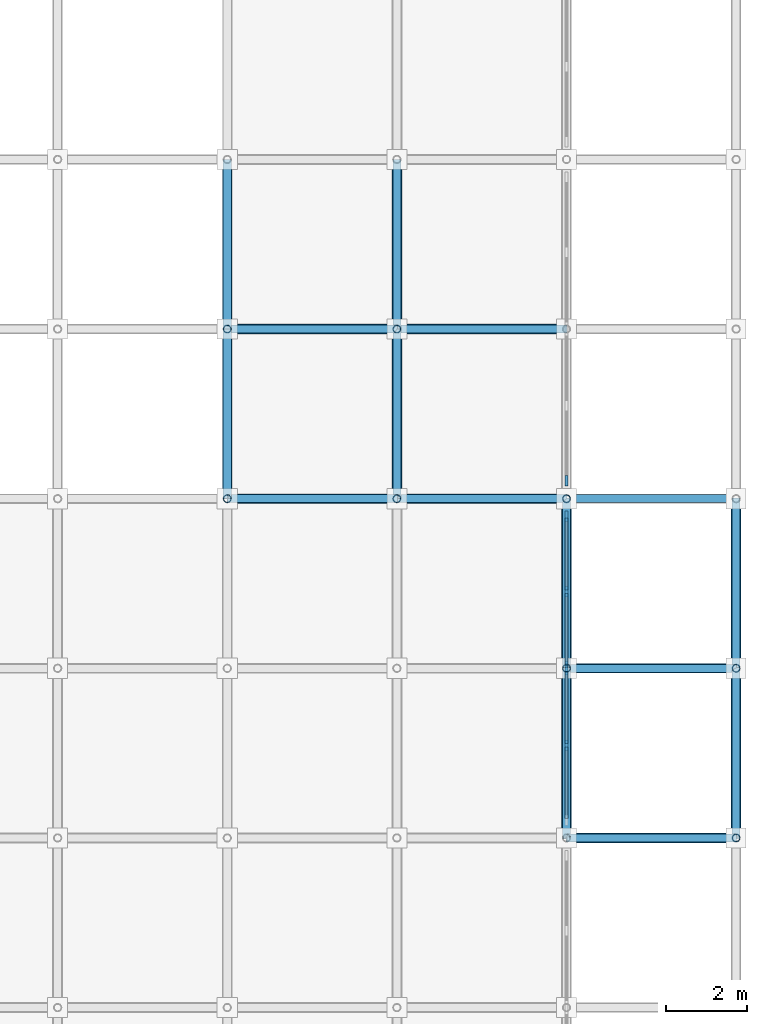
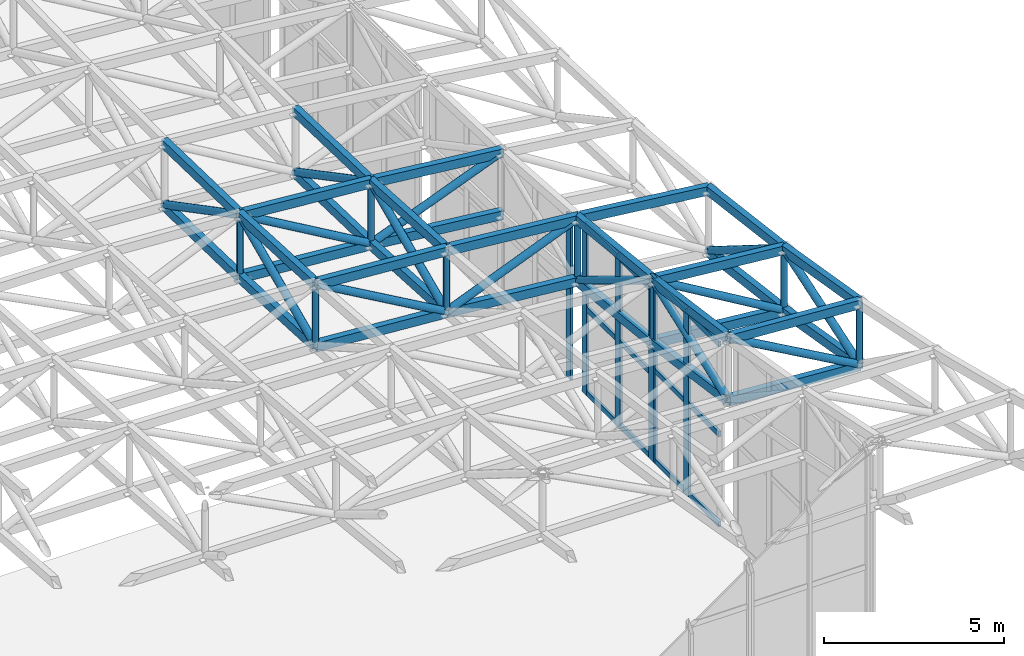
# One storey, part 39 of 123: 69 members, 3 elements without a shape of their own.
"""IFC4 building model written with IfcOpenShell, lengths in metres."""

from ifc_helpers import new_model, si_unit, direction, frame, origin, origin_2d, place, context, subcontext, project, spatial, rectangle, hollow_rectangle, hollow_circle, extrude, material, material_profile, profile_set, type_object, element, aggregate, save


model = new_model("IFC4")

# Units and contexts
model_context = context("Model", 3, precision=1e-05, world=origin(), true_north=direction((0.0, 1.0)))
body_context = subcontext(model_context, "Body", "Model", "MODEL_VIEW")
ifc_project = project(units=[si_unit("LENGTHUNIT", "METRE"), si_unit("AREAUNIT", "SQUARE_METRE"), si_unit("VOLUMEUNIT", "CUBIC_METRE"), si_unit("PLANEANGLEUNIT", "RADIAN"), si_unit("MASSUNIT", "GRAM", prefix="KILO")], contexts=[model_context])

# Site, building, storey
site_placement = place(None, origin())
site = spatial("IfcSite", under=ifc_project, at=site_placement, CompositionType="ELEMENT")
building_placement = place(site_placement, origin())
building = spatial("IfcBuilding", under=site, at=building_placement, Name="Cumbredor Promenade Congress Hotel", CompositionType="ELEMENT")
storey_placement = place(building_placement, frame((0.0, 0.0, 11.760009765625)))
storey = spatial("IfcBuildingStorey", under=building, at=storey_placement, Name="L03", CompositionType="ELEMENT", Elevation=11.760009765625)

# Members
ifc_material_1 = material(Name="Steel ASTM A500 Grade C", Category="steel")
ifc_material_profile_1 = material_profile(ifc_material_1, hollow_rectangle(XDim=0.199951171875, YDim=0.300048828125, WallThickness=0.012451171875, at=origin_2d()), Name="HSS 300x200x12.5")
ifc_profile_set_1 = profile_set([ifc_material_profile_1], Name="Steel ASTM A500 Grade C")
member_type_1 = type_object("IfcMemberType", Name="Ballroom Roof Space Frame Chord", PredefinedType="CHORD", material=ifc_profile_set_1)
for number, where, z_axis, x_axis, name in (
    (1, (184.800048828125, 16.800048828125, 6.69189453125), (0.997906149499, 0.0, -0.064678565174), (0.0, 1.0, 0.0), "Grand Ballroom Pavilion X Top Chord 12.5"),
    (2, (184.800048828125, 16.800048828125, 4.592041015625), (0.997906149499, 0.0, -0.064678565174), (0.0, 1.0, 0.0), "Grand Ballroom Pavilion X Bottom Chord 12.5"),
):
    element("IfcMember", number, at=place(storey_placement, frame(where, z_axis=z_axis, x_axis=x_axis)), inside=storey, type_object=member_type_1, Name=name, PredefinedType="CHORD", context=body_context, shape_type="SweptSolid", body=[
        extrude(hollow_rectangle(XDim=0.199951171875, YDim=0.300048828125, WallThickness=0.012451171875, at=origin_2d()), origin(), (0.0, 0.0, 1.0), 4.208740234375),
    ])
for number, where, z_axis, x_axis, name in (
    (3, (184.800048828125, 21.0, 6.106689453125), (0.995622284371, 0.0, -0.093467999143), (0.0, 1.0, 0.0), "Grand Ballroom Pavilion X Top Chord 12.6"),
    (4, (184.800048828125, 21.0, 4.006591796875), (0.995627668519, 0.0, -0.093410629366), (0.0, 1.0, 0.0), "Grand Ballroom Pavilion X Bottom Chord 12.6"),
):
    element("IfcMember", number, at=place(storey_placement, frame(where, z_axis=z_axis, x_axis=x_axis)), inside=storey, type_object=member_type_1, Name=name, PredefinedType="CHORD", context=body_context, shape_type="SweptSolid", body=[
        extrude(hollow_rectangle(XDim=0.199951171875, YDim=0.300048828125, WallThickness=0.012451171875, at=origin_2d()), origin(), (0.0, 0.0, 1.0), 4.218505859375),
    ])
for number, where, z_axis, x_axis, name in (
    (5, (176.39990234375, 25.199951171875, 6.37548828125), (0.99729064074, 0.0, -0.073562068304), (0.0, 1.0, 0.0), "Grand Ballroom Pavilion X Top Chord 10.7"),
    (6, (176.39990234375, 25.199951171875, 4.275390625), (0.99729064074, 0.0, -0.073562068304), (0.0, 1.0, 0.0), "Grand Ballroom Pavilion X Bottom Chord 10.7"),
):
    element("IfcMember", number, at=place(storey_placement, frame(where, z_axis=z_axis, x_axis=x_axis)), inside=storey, type_object=member_type_1, Name=name, PredefinedType="CHORD", context=body_context, shape_type="SweptSolid", body=[
        extrude(hollow_rectangle(XDim=0.199951171875, YDim=0.300048828125, WallThickness=0.012451171875, at=origin_2d()), origin(), (0.0, 0.0, 1.0), 4.211669921875),
    ])
for number, where, z_axis, x_axis, name in (
    (7, (180.60009765625, 25.199951171875, 6.065673828125), (0.995535696454, 0.0, -0.094385788579), (0.0, 1.0, 0.0), "Grand Ballroom Pavilion X Top Chord 11.7"),
    (8, (180.60009765625, 25.199951171875, 3.965576171875), (0.995535696454, 0.0, -0.094385788579), (0.0, 1.0, 0.0), "Grand Ballroom Pavilion X Bottom Chord 11.7"),
):
    element("IfcMember", number, at=place(storey_placement, frame(where, z_axis=z_axis, x_axis=x_axis)), inside=storey, type_object=member_type_1, Name=name, PredefinedType="CHORD", context=body_context, shape_type="SweptSolid", body=[
        extrude(hollow_rectangle(XDim=0.199951171875, YDim=0.300048828125, WallThickness=0.012451171875, at=origin_2d()), origin(), (0.0, 0.0, 1.0), 4.21875),
    ])
member_1_placement = place(storey_placement, frame((184.800048828125, 25.199951171875, 5.66748046875), z_axis=(0.993382355075, 0.0, -0.114854240786), x_axis=(0.0, 1.0, 0.0)))
element("IfcMember", 9, at=member_1_placement, inside=storey, type_object=member_type_1, Name="Grand Ballroom Pavilion X Top Chord 12.7", PredefinedType="CHORD", context=body_context, shape_type="SweptSolid", body=[
    extrude(hollow_rectangle(XDim=0.199951171875, YDim=0.300048828125, WallThickness=0.012451171875, at=origin_2d()), origin(), (0.0, 0.0, 1.0), 4.22802734375),
])
for number, where, z_axis, x_axis, name in (
    (10, (176.39990234375, 29.39990234375, 6.1708984375), (0.996577644221, 0.0, -0.082661956423), (0.0, 1.0, 0.0), "Grand Ballroom Pavilion X Top Chord 10.8"),
    (11, (176.39990234375, 29.39990234375, 4.07080078125), (0.996582414562, 0.0, -0.082604424736), (0.0, 1.0, 0.0), "Grand Ballroom Pavilion X Bottom Chord 10.8"),
):
    element("IfcMember", number, at=place(storey_placement, frame(where, z_axis=z_axis, x_axis=x_axis)), inside=storey, type_object=member_type_1, Name=name, PredefinedType="CHORD", context=body_context, shape_type="SweptSolid", body=[
        extrude(hollow_rectangle(XDim=0.199951171875, YDim=0.300048828125, WallThickness=0.012451171875, at=origin_2d()), origin(), (0.0, 0.0, 1.0), 4.214599609375),
    ])
for number, where, z_axis, x_axis, name in (
    (12, (180.60009765625, 29.39990234375, 5.822509765625), (0.99435911927, 0.0, -0.106065743409), (0.0, 1.0, 0.0), "Grand Ballroom Pavilion X Top Chord 11.8"),
    (13, (180.60009765625, 29.39990234375, 3.72265625), (0.99435911927, 0.0, -0.106065743409), (0.0, 1.0, 0.0), "Grand Ballroom Pavilion X Bottom Chord 11.8"),
):
    element("IfcMember", number, at=place(storey_placement, frame(where, z_axis=z_axis, x_axis=x_axis)), inside=storey, type_object=member_type_1, Name=name, PredefinedType="CHORD", context=body_context, shape_type="SweptSolid", body=[
        extrude(hollow_rectangle(XDim=0.199951171875, YDim=0.300048828125, WallThickness=0.012451171875, at=origin_2d()), origin(), (0.0, 0.0, 1.0), 4.223876953125),
    ])
for number, where, z_axis, x_axis, name in (
    (14, (176.39990234375, 25.199951171875, 6.37548828125), (0.0, 0.998815656724, -0.048654741634), (-1.0, 0.0, 0.0), "Grand Ballroom Pavilion Y Top Chord 10.7"),
    (15, (176.39990234375, 25.199951171875, 4.275390625), (0.0, 0.998815656724, -0.048654741634), (-1.0, 0.0, 0.0), "Grand Ballroom Pavilion Y Bottom Chord 10.7"),
):
    element("IfcMember", number, at=place(storey_placement, frame(where, z_axis=z_axis, x_axis=x_axis)), inside=storey, type_object=member_type_1, Name=name, PredefinedType="CHORD", context=body_context, shape_type="SweptSolid", body=[
        extrude(hollow_rectangle(XDim=0.199951171875, YDim=0.300048828125, WallThickness=0.012451171875, at=origin_2d()), origin(), (0.0, 0.0, 1.0), 4.204833984375),
    ])
for number, where, z_axis, x_axis, name in (
    (16, (176.39990234375, 29.39990234375, 6.1708984375), (0.0, 0.999703553702, -0.024347581318), (-1.0, 0.0, 0.0), "Grand Ballroom Pavilion Y Top Chord 10.8"),
    (17, (176.39990234375, 29.39990234375, 4.07080078125), (0.0, 0.999704966406, -0.024289506856), (-1.0, 0.0, 0.0), "Grand Ballroom Pavilion Y Bottom Chord 10.8"),
):
    element("IfcMember", number, at=place(storey_placement, frame(where, z_axis=z_axis, x_axis=x_axis)), inside=storey, type_object=member_type_1, Name=name, PredefinedType="CHORD", context=body_context, shape_type="SweptSolid", body=[
        extrude(hollow_rectangle(XDim=0.199951171875, YDim=0.300048828125, WallThickness=0.012451171875, at=origin_2d()), origin(), (0.0, 0.0, 1.0), 4.201416015625),
    ])
for number, where, z_axis, x_axis, name in (
    (18, (180.60009765625, 25.199951171875, 6.065673828125), (0.0, 0.998328177583, -0.057800085152), (-1.0, 0.0, 0.0), "Grand Ballroom Pavilion Y Top Chord 11.7"),
    (19, (180.60009765625, 25.199951171875, 3.965576171875), (0.0, 0.998331524578, -0.057742246524), (-1.0, 0.0, 0.0), "Grand Ballroom Pavilion Y Bottom Chord 11.7"),
):
    element("IfcMember", number, at=place(storey_placement, frame(where, z_axis=z_axis, x_axis=x_axis)), inside=storey, type_object=member_type_1, Name=name, PredefinedType="CHORD", context=body_context, shape_type="SweptSolid", body=[
        extrude(hollow_rectangle(XDim=0.199951171875, YDim=0.300048828125, WallThickness=0.012451171875, at=origin_2d()), origin(), (0.0, 0.0, 1.0), 4.20703125),
    ])
for number, where, z_axis, x_axis, name in (
    (20, (180.60009765625, 29.39990234375, 5.822509765625), (0.0, 0.99958298451, -0.028876583545), (-1.0, 0.0, 0.0), "Grand Ballroom Pavilion Y Top Chord 11.8"),
    (21, (180.60009765625, 29.39990234375, 3.72265625), (0.0, 0.999581305746, -0.028934636728), (-1.0, 0.0, 0.0), "Grand Ballroom Pavilion Y Bottom Chord 11.8"),
):
    element("IfcMember", number, at=place(storey_placement, frame(where, z_axis=z_axis, x_axis=x_axis)), inside=storey, type_object=member_type_1, Name=name, PredefinedType="CHORD", context=body_context, shape_type="SweptSolid", body=[
        extrude(hollow_rectangle(XDim=0.199951171875, YDim=0.300048828125, WallThickness=0.012451171875, at=origin_2d()), origin(), (0.0, 0.0, 1.0), 4.201904296875),
    ])
for number, where, z_axis, x_axis, name in (
    (22, (184.800048828125, 16.800048828125, 6.69189453125), (0.0, 0.99043181531, -0.138002968162), (-1.0, 0.0, 0.0), "Grand Ballroom Pavilion Y Top Chord 12.5"),
    (23, (184.800048828125, 16.800048828125, 4.592041015625), (0.0, 0.990423944511, -0.138059444221), (-1.0, 0.0, 0.0), "Grand Ballroom Pavilion Y Bottom Chord 12.5"),
):
    element("IfcMember", number, at=place(storey_placement, frame(where, z_axis=z_axis, x_axis=x_axis)), inside=storey, type_object=member_type_1, Name=name, PredefinedType="CHORD", context=body_context, shape_type="SweptSolid", body=[
        extrude(hollow_rectangle(XDim=0.199951171875, YDim=0.300048828125, WallThickness=0.012451171875, at=origin_2d()), origin(), (0.0, 0.0, 1.0), 4.240478515625),
    ])
for number, where, z_axis, x_axis, name in (
    (24, (184.800048828125, 21.0, 6.106689453125), (0.0, 0.994576500093, -0.10400762214), (-1.0, 0.0, 0.0), "Grand Ballroom Pavilion Y Top Chord 12.6"),
    (25, (184.800048828125, 21.0, 4.006591796875), (0.0, 0.994576500093, -0.10400762214), (-1.0, 0.0, 0.0), "Grand Ballroom Pavilion Y Bottom Chord 12.6"),
):
    element("IfcMember", number, at=place(storey_placement, frame(where, z_axis=z_axis, x_axis=x_axis)), inside=storey, type_object=member_type_1, Name=name, PredefinedType="CHORD", context=body_context, shape_type="SweptSolid", body=[
        extrude(hollow_rectangle(XDim=0.199951171875, YDim=0.300048828125, WallThickness=0.012451171875, at=origin_2d()), origin(), (0.0, 0.0, 1.0), 4.222900390625),
    ])
for number, where, z_axis, x_axis, name in (
    (26, (189.0, 16.800048828125, 6.419677734375), (0.0, 0.986115204562, -0.166062648818), (-1.0, 0.0, 0.0), "Grand Ballroom Pavilion Y Top Chord 13.5"),
    (27, (189.0, 16.800048828125, 4.31982421875), (0.0, 0.986115204562, -0.166062648818), (-1.0, 0.0, 0.0), "Grand Ballroom Pavilion Y Bottom Chord 13.5"),
):
    element("IfcMember", number, at=place(storey_placement, frame(where, z_axis=z_axis, x_axis=x_axis)), inside=storey, type_object=member_type_1, Name=name, PredefinedType="CHORD", context=body_context, shape_type="SweptSolid", body=[
        extrude(hollow_rectangle(XDim=0.199951171875, YDim=0.300048828125, WallThickness=0.012451171875, at=origin_2d()), origin(), (0.0, 0.0, 1.0), 4.259033203125),
    ])
for number, where, z_axis, x_axis, name in (
    (28, (189.0, 21.0, 5.71240234375), (0.0, 0.992116453102, -0.125319365959), (-1.0, 0.0, 0.0), "Grand Ballroom Pavilion Y Top Chord 13.6"),
    (29, (189.0, 21.0, 3.612548828125), (0.0, 0.992116453102, -0.125319365959), (-1.0, 0.0, 0.0), "Grand Ballroom Pavilion Y Bottom Chord 13.6"),
):
    element("IfcMember", number, at=place(storey_placement, frame(where, z_axis=z_axis, x_axis=x_axis)), inside=storey, type_object=member_type_1, Name=name, PredefinedType="CHORD", context=body_context, shape_type="SweptSolid", body=[
        extrude(hollow_rectangle(XDim=0.199951171875, YDim=0.300048828125, WallThickness=0.012451171875, at=origin_2d()), origin(), (0.0, 0.0, 1.0), 4.2333984375),
    ])

# Curtain wall, members
ifc_material_2 = material(Name="Thermally broken anodized aluminium and low-E glass", Category="aluminium")
curtain_wall_type = type_object("IfcCurtainWallType", Name="Stepped Pavilion Clerestory Curtain Wall CW-06", PredefinedType="NOTDEFINED", material=ifc_material_2)
curtain_wall_1_placement = place(storey_placement, origin())
curtain_wall_1 = element("IfcCurtainWall", 30, at=curtain_wall_1_placement, inside=storey, type_object=curtain_wall_type, Name="Grand Ballroom Pavilion E Glazed Clerestory 3", PredefinedType="NOTDEFINED")
ifc_material_3 = material(Name="Thermally broken anodized aluminium", Category="aluminium")
ifc_material_profile_2 = material_profile(ifc_material_3, rectangle(XDim=0.0849609375, YDim=0.260009765625, at=origin_2d()), Name="ALU MULLION CLERESTORY 85x260")
ifc_profile_set_2 = profile_set([ifc_material_profile_2], Name="Thermally broken anodized aluminium")
member_type_2 = type_object("IfcMemberType", Name="Curtain Wall Mullion ML-04", PredefinedType="MULLION", material=ifc_profile_set_2)
member_2_placement = place(storey_placement, frame((184.800048828125, 19.10009765625, -0.01806640625), z_axis=(0.0, 0.0, 1.0), x_axis=(1.0, 0.0, 0.0)))
member_2 = element("IfcMember", 31, at=member_2_placement, type_object=member_type_2, Name="Grand Ballroom Pavilion E Glazed Clerestory 3 Mullion 2", PredefinedType="MULLION", context=body_context, shape_type="SweptSolid", body=[
    extrude(rectangle(XDim=0.0849609375, YDim=0.260009765625, at=origin_2d()), origin(), (0.0, 0.0, 1.0), 6.300537109375),
])
member_3_placement = place(storey_placement, frame((184.800048828125, 20.9599609375, -0.01806640625), z_axis=(0.0, 0.0, 1.0), x_axis=(1.0, 0.0, 0.0)))
member_3 = element("IfcMember", 32, at=member_3_placement, type_object=member_type_2, Name="Grand Ballroom Pavilion E Glazed Clerestory 3 Mullion 3", PredefinedType="MULLION", context=body_context, shape_type="SweptSolid", body=[
    extrude(rectangle(XDim=0.0849609375, YDim=0.260009765625, at=origin_2d()), origin(), (0.0, 0.0, 1.0), 6.300537109375),
])

curtain_wall_2_placement = place(storey_placement, origin())
curtain_wall_2 = element("IfcCurtainWall", 33, at=curtain_wall_2_placement, inside=storey, type_object=curtain_wall_type, Name="Grand Ballroom Pavilion E Glazed Clerestory 4", PredefinedType="NOTDEFINED")
member_4_placement = place(storey_placement, frame((184.800048828125, 21.0400390625, -0.01806640625), z_axis=(0.0, 0.0, 1.0), x_axis=(1.0, 0.0, 0.0)))
member_4 = element("IfcMember", 34, at=member_4_placement, type_object=member_type_2, Name="Grand Ballroom Pavilion E Glazed Clerestory 4 Mullion 1", PredefinedType="MULLION", context=body_context, shape_type="SweptSolid", body=[
    extrude(rectangle(XDim=0.0849609375, YDim=0.260009765625, at=origin_2d()), origin(), (0.0, 0.0, 1.0), 5.861572265625),
])
member_5_placement = place(storey_placement, frame((184.800048828125, 22.89990234375, -0.01806640625), z_axis=(0.0, 0.0, 1.0), x_axis=(1.0, 0.0, 0.0)))
member_5 = element("IfcMember", 35, at=member_5_placement, type_object=member_type_2, Name="Grand Ballroom Pavilion E Glazed Clerestory 4 Mullion 2", PredefinedType="MULLION", context=body_context, shape_type="SweptSolid", body=[
    extrude(rectangle(XDim=0.0849609375, YDim=0.260009765625, at=origin_2d()), origin(), (0.0, 0.0, 1.0), 5.861572265625),
])
member_6_placement = place(storey_placement, frame((184.800048828125, 24.760009765625, -0.01806640625), z_axis=(0.0, 0.0, 1.0), x_axis=(1.0, 0.0, 0.0)))
member_6 = element("IfcMember", 36, at=member_6_placement, type_object=member_type_2, Name="Grand Ballroom Pavilion E Glazed Clerestory 4 Mullion 3", PredefinedType="MULLION", context=body_context, shape_type="SweptSolid", body=[
    extrude(rectangle(XDim=0.0849609375, YDim=0.260009765625, at=origin_2d()), origin(), (0.0, 0.0, 1.0), 5.861572265625),
])

# Curtain wall, member
curtain_wall_3_placement = place(storey_placement, origin())
curtain_wall_3 = element("IfcCurtainWall", 37, at=curtain_wall_3_placement, inside=storey, type_object=curtain_wall_type, Name="Grand Ballroom Pavilion E Glazed Clerestory 5", PredefinedType="NOTDEFINED")
member_7_placement = place(storey_placement, frame((184.800048828125, 25.639892578125, -0.01806640625), z_axis=(0.0, 0.0, 1.0), x_axis=(1.0, 0.0, 0.0)))
member_7 = element("IfcMember", 38, at=member_7_placement, type_object=member_type_2, Name="Grand Ballroom Pavilion E Glazed Clerestory 5 Mullion 1", PredefinedType="MULLION", context=body_context, shape_type="SweptSolid", body=[
    extrude(rectangle(XDim=0.0849609375, YDim=0.260009765625, at=origin_2d()), origin(), (0.0, 0.0, 1.0), 5.568603515625),
])
aggregate(curtain_wall_3, [member_7])

# Member
ifc_material_profile_3 = material_profile(ifc_material_3, rectangle(XDim=0.080078125, YDim=0.179931640625, at=origin_2d()), Name="ALU TRANSOM 80x180")
ifc_profile_set_3 = profile_set([ifc_material_profile_3], Name="Thermally broken anodized aluminium")
member_type_3 = type_object("IfcMemberType", Name="Curtain Wall Transom TR-03", PredefinedType="USERDEFINED", material=ifc_profile_set_3)
member_8_placement = place(storey_placement, frame((184.800048828125, 17.282470703125, 0.080078125), z_axis=(0.0, 1.0, 0.0), x_axis=(-1.0, 0.0, 0.0)))
member_8 = element("IfcMember", 39, at=member_8_placement, type_object=member_type_3, Name="Grand Ballroom Pavilion E Glazed Clerestory 3 Transom 1.1", ObjectType="TRANSOM", PredefinedType="USERDEFINED", context=body_context, shape_type="SweptSolid", body=[
    extrude(rectangle(XDim=0.080078125, YDim=0.179931640625, at=origin_2d()), origin(), (0.0, 0.0, 1.0), 1.775146484375),
])

member_9_placement = place(storey_placement, frame((184.800048828125, 17.282470703125, 3.1298828125), z_axis=(0.0, 1.0, 0.0), x_axis=(-1.0, 0.0, 0.0)))
member_9 = element("IfcMember", 40, at=member_9_placement, type_object=member_type_3, Name="Grand Ballroom Pavilion E Glazed Clerestory 3 Transom 1.2", ObjectType="TRANSOM", PredefinedType="USERDEFINED", context=body_context, shape_type="SweptSolid", body=[
    extrude(rectangle(XDim=0.080078125, YDim=0.179931640625, at=origin_2d()), origin(), (0.0, 0.0, 1.0), 1.775146484375),
])

member_10_placement = place(storey_placement, frame((184.800048828125, 17.282470703125, 6.179931640625), z_axis=(0.0, 1.0, 0.0), x_axis=(-1.0, 0.0, 0.0)))
member_10 = element("IfcMember", 41, at=member_10_placement, type_object=member_type_3, Name="Grand Ballroom Pavilion E Glazed Clerestory 3 Transom 1.3", ObjectType="TRANSOM", PredefinedType="USERDEFINED", context=body_context, shape_type="SweptSolid", body=[
    extrude(rectangle(XDim=0.080078125, YDim=0.179931640625, at=origin_2d()), origin(), (0.0, 0.0, 1.0), 1.775146484375),
])

member_11_placement = place(storey_placement, frame((184.800048828125, 19.142578125, 0.080078125), z_axis=(0.0, 1.0, 0.0), x_axis=(-1.0, 0.0, 0.0)))
member_11 = element("IfcMember", 42, at=member_11_placement, type_object=member_type_3, Name="Grand Ballroom Pavilion E Glazed Clerestory 3 Transom 2.1", ObjectType="TRANSOM", PredefinedType="USERDEFINED", context=body_context, shape_type="SweptSolid", body=[
    extrude(rectangle(XDim=0.080078125, YDim=0.179931640625, at=origin_2d()), origin(), (0.0, 0.0, 1.0), 1.77490234375),
])

member_12_placement = place(storey_placement, frame((184.800048828125, 19.142578125, 3.1298828125), z_axis=(0.0, 1.0, 0.0), x_axis=(-1.0, 0.0, 0.0)))
member_12 = element("IfcMember", 43, at=member_12_placement, type_object=member_type_3, Name="Grand Ballroom Pavilion E Glazed Clerestory 3 Transom 2.2", ObjectType="TRANSOM", PredefinedType="USERDEFINED", context=body_context, shape_type="SweptSolid", body=[
    extrude(rectangle(XDim=0.080078125, YDim=0.179931640625, at=origin_2d()), origin(), (0.0, 0.0, 1.0), 1.77490234375),
])

member_13_placement = place(storey_placement, frame((184.800048828125, 19.142578125, 6.179931640625), z_axis=(0.0, 1.0, 0.0), x_axis=(-1.0, 0.0, 0.0)))
member_13 = element("IfcMember", 44, at=member_13_placement, type_object=member_type_3, Name="Grand Ballroom Pavilion E Glazed Clerestory 3 Transom 2.3", ObjectType="TRANSOM", PredefinedType="USERDEFINED", context=body_context, shape_type="SweptSolid", body=[
    extrude(rectangle(XDim=0.080078125, YDim=0.179931640625, at=origin_2d()), origin(), (0.0, 0.0, 1.0), 1.77490234375),
])

aggregate(curtain_wall_1, [member_2, member_3, member_8, member_9, member_10, member_11, member_12, member_13])

member_14_placement = place(storey_placement, frame((184.800048828125, 21.08251953125, 0.080078125), z_axis=(0.0, 1.0, 0.0), x_axis=(-1.0, 0.0, 0.0)))
member_14 = element("IfcMember", 45, at=member_14_placement, type_object=member_type_3, Name="Grand Ballroom Pavilion E Glazed Clerestory 4 Transom 1.1", ObjectType="TRANSOM", PredefinedType="USERDEFINED", context=body_context, shape_type="SweptSolid", body=[
    extrude(rectangle(XDim=0.080078125, YDim=0.179931640625, at=origin_2d()), origin(), (0.0, 0.0, 1.0), 1.77490234375),
])

member_15_placement = place(storey_placement, frame((184.800048828125, 21.08251953125, 2.919921875), z_axis=(0.0, 1.0, 0.0), x_axis=(-1.0, 0.0, 0.0)))
member_15 = element("IfcMember", 46, at=member_15_placement, type_object=member_type_3, Name="Grand Ballroom Pavilion E Glazed Clerestory 4 Transom 1.2", ObjectType="TRANSOM", PredefinedType="USERDEFINED", context=body_context, shape_type="SweptSolid", body=[
    extrude(rectangle(XDim=0.080078125, YDim=0.179931640625, at=origin_2d()), origin(), (0.0, 0.0, 1.0), 1.77490234375),
])

member_16_placement = place(storey_placement, frame((184.800048828125, 21.08251953125, 5.75), z_axis=(0.0, 1.0, 0.0), x_axis=(-1.0, 0.0, 0.0)))
member_16 = element("IfcMember", 47, at=member_16_placement, type_object=member_type_3, Name="Grand Ballroom Pavilion E Glazed Clerestory 4 Transom 1.3", ObjectType="TRANSOM", PredefinedType="USERDEFINED", context=body_context, shape_type="SweptSolid", body=[
    extrude(rectangle(XDim=0.080078125, YDim=0.179931640625, at=origin_2d()), origin(), (0.0, 0.0, 1.0), 1.77490234375),
])

member_17_placement = place(storey_placement, frame((184.800048828125, 22.9423828125, 0.080078125), z_axis=(0.0, 1.0, 0.0), x_axis=(-1.0, 0.0, 0.0)))
member_17 = element("IfcMember", 48, at=member_17_placement, type_object=member_type_3, Name="Grand Ballroom Pavilion E Glazed Clerestory 4 Transom 2.1", ObjectType="TRANSOM", PredefinedType="USERDEFINED", context=body_context, shape_type="SweptSolid", body=[
    extrude(rectangle(XDim=0.080078125, YDim=0.179931640625, at=origin_2d()), origin(), (0.0, 0.0, 1.0), 1.775146484375),
])

member_18_placement = place(storey_placement, frame((184.800048828125, 22.9423828125, 2.919921875), z_axis=(0.0, 1.0, 0.0), x_axis=(-1.0, 0.0, 0.0)))
member_18 = element("IfcMember", 49, at=member_18_placement, type_object=member_type_3, Name="Grand Ballroom Pavilion E Glazed Clerestory 4 Transom 2.2", ObjectType="TRANSOM", PredefinedType="USERDEFINED", context=body_context, shape_type="SweptSolid", body=[
    extrude(rectangle(XDim=0.080078125, YDim=0.179931640625, at=origin_2d()), origin(), (0.0, 0.0, 1.0), 1.775146484375),
])

member_19_placement = place(storey_placement, frame((184.800048828125, 22.9423828125, 5.75), z_axis=(0.0, 1.0, 0.0), x_axis=(-1.0, 0.0, 0.0)))
member_19 = element("IfcMember", 50, at=member_19_placement, type_object=member_type_3, Name="Grand Ballroom Pavilion E Glazed Clerestory 4 Transom 2.3", ObjectType="TRANSOM", PredefinedType="USERDEFINED", context=body_context, shape_type="SweptSolid", body=[
    extrude(rectangle(XDim=0.080078125, YDim=0.179931640625, at=origin_2d()), origin(), (0.0, 0.0, 1.0), 1.775146484375),
])

aggregate(curtain_wall_2, [member_4, member_5, member_6, member_14, member_15, member_16, member_17, member_18, member_19])

# Members
ifc_material_profile_4 = material_profile(ifc_material_1, hollow_circle(Radius=0.122314453125, WallThickness=0.012451171875, at=origin_2d()), Name="CHS 244.5x12.5")
ifc_profile_set_4 = profile_set([ifc_material_profile_4], Name="Steel ASTM A500 Grade C")
member_type_4 = type_object("IfcMemberType", Name="Space Frame Web Diagonal D2", PredefinedType="BRACE", material=ifc_profile_set_4)
member_20_placement = place(storey_placement, frame((184.800048828125, 16.800048828125, 6.69189453125), z_axis=(0.870723990269, 0.0, -0.491772033335), x_axis=(0.0, 1.0, 0.0)))
element("IfcMember", 51, at=member_20_placement, inside=storey, type_object=member_type_4, Name="Grand Ballroom Pavilion X Web Diagonal 12.5", PredefinedType="BRACE", context=body_context, shape_type="SweptSolid", body=[
    extrude(hollow_circle(Radius=0.122314453125, WallThickness=0.012451171875, at=origin_2d()), origin(), (0.0, 0.0, 1.0), 4.823486328125),
])
member_21_placement = place(storey_placement, frame((184.800048828125, 21.0, 6.106689453125), z_axis=(0.859817030467, 0.0, -0.510602266073), x_axis=(0.0, 1.0, 0.0)))
element("IfcMember", 52, at=member_21_placement, inside=storey, type_object=member_type_4, Name="Grand Ballroom Pavilion X Web Diagonal 12.6", PredefinedType="BRACE", context=body_context, shape_type="SweptSolid", body=[
    extrude(hollow_circle(Radius=0.122314453125, WallThickness=0.012451171875, at=origin_2d()), origin(), (0.0, 0.0, 1.0), 4.884765625),
])
member_22_placement = place(storey_placement, frame((176.39990234375, 25.199951171875, 6.37548828125), z_axis=(0.867369979475, 0.0, -0.49766386116), x_axis=(0.0, 1.0, 0.0)))
element("IfcMember", 53, at=member_22_placement, inside=storey, type_object=member_type_4, Name="Grand Ballroom Pavilion X Web Diagonal 10.7", PredefinedType="BRACE", context=body_context, shape_type="SweptSolid", body=[
    extrude(hollow_circle(Radius=0.122314453125, WallThickness=0.012451171875, at=origin_2d()), origin(), (0.0, 0.0, 1.0), 4.842529296875),
])
member_23_placement = place(storey_placement, frame((180.60009765625, 25.199951171875, 3.965576171875), z_axis=(0.926799079223, 0.0, 0.3755575412), x_axis=(0.0, 1.0, 0.0)))
element("IfcMember", 54, at=member_23_placement, inside=storey, type_object=member_type_4, Name="Grand Ballroom Pavilion X Web Diagonal 11.7", PredefinedType="BRACE", context=body_context, shape_type="SweptSolid", body=[
    extrude(hollow_circle(Radius=0.122314453125, WallThickness=0.012451171875, at=origin_2d()), origin(), (0.0, 0.0, 1.0), 4.53173828125),
])
member_24_placement = place(storey_placement, frame((176.39990234375, 29.39990234375, 6.1708984375), z_axis=(0.863946419146, 0.0, -0.503583741641), x_axis=(0.0, 1.0, 0.0)))
element("IfcMember", 55, at=member_24_placement, inside=storey, type_object=member_type_4, Name="Grand Ballroom Pavilion X Web Diagonal 10.8", PredefinedType="BRACE", context=body_context, shape_type="SweptSolid", body=[
    extrude(hollow_circle(Radius=0.122314453125, WallThickness=0.012451171875, at=origin_2d()), origin(), (0.0, 0.0, 1.0), 4.861572265625),
])
member_25_placement = place(storey_placement, frame((180.60009765625, 29.39990234375, 3.72265625), z_axis=(0.930610057506, 0.0, 0.366012186775), x_axis=(0.0, 1.0, 0.0)))
element("IfcMember", 56, at=member_25_placement, inside=storey, type_object=member_type_4, Name="Grand Ballroom Pavilion X Web Diagonal 11.8", PredefinedType="BRACE", context=body_context, shape_type="SweptSolid", body=[
    extrude(hollow_circle(Radius=0.122314453125, WallThickness=0.012451171875, at=origin_2d()), origin(), (0.0, 0.0, 1.0), 4.51318359375),
])
member_26_placement = place(storey_placement, frame((176.39990234375, 25.199951171875, 4.275390625), z_axis=(0.0, 0.911471867719, 0.411362412426), x_axis=(-1.0, 0.0, 0.0)))
element("IfcMember", 57, at=member_26_placement, inside=storey, type_object=member_type_4, Name="Grand Ballroom Pavilion Y Web Diagonal 10.7", PredefinedType="BRACE", context=body_context, shape_type="SweptSolid", body=[
    extrude(hollow_circle(Radius=0.122314453125, WallThickness=0.012451171875, at=origin_2d()), origin(), (0.0, 0.0, 1.0), 4.60791015625),
])
member_27_placement = place(storey_placement, frame((176.39990234375, 29.39990234375, 6.1708984375), z_axis=(0.0, 0.885654131787, -0.464345516666), x_axis=(-1.0, 0.0, 0.0)))
element("IfcMember", 58, at=member_27_placement, inside=storey, type_object=member_type_4, Name="Grand Ballroom Pavilion Y Web Diagonal 10.8", PredefinedType="BRACE", context=body_context, shape_type="SweptSolid", body=[
    extrude(hollow_circle(Radius=0.122314453125, WallThickness=0.012451171875, at=origin_2d()), origin(), (0.0, 0.0, 1.0), 4.742431640625),
])
member_28_placement = place(storey_placement, frame((180.60009765625, 25.199951171875, 3.965576171875), z_axis=(0.0, 0.914594708736, 0.404371758103), x_axis=(-1.0, 0.0, 0.0)))
element("IfcMember", 59, at=member_28_placement, inside=storey, type_object=member_type_4, Name="Grand Ballroom Pavilion Y Web Diagonal 11.7", PredefinedType="BRACE", context=body_context, shape_type="SweptSolid", body=[
    extrude(hollow_circle(Radius=0.122314453125, WallThickness=0.012451171875, at=origin_2d()), origin(), (0.0, 0.0, 1.0), 4.592041015625),
])
member_29_placement = place(storey_placement, frame((180.60009765625, 29.39990234375, 5.822509765625), z_axis=(0.0, 0.883979067577, -0.467526478486), x_axis=(-1.0, 0.0, 0.0)))
element("IfcMember", 60, at=member_29_placement, inside=storey, type_object=member_type_4, Name="Grand Ballroom Pavilion Y Web Diagonal 11.8", PredefinedType="BRACE", context=body_context, shape_type="SweptSolid", body=[
    extrude(hollow_circle(Radius=0.122314453125, WallThickness=0.012451171875, at=origin_2d()), origin(), (0.0, 0.0, 1.0), 4.75146484375),
])
member_30_placement = place(storey_placement, frame((184.800048828125, 16.800048828125, 4.592041015625), z_axis=(0.0, 0.940696960208, 0.339248034711), x_axis=(-1.0, 0.0, 0.0)))
element("IfcMember", 61, at=member_30_placement, inside=storey, type_object=member_type_4, Name="Grand Ballroom Pavilion Y Web Diagonal 12.5", PredefinedType="BRACE", context=body_context, shape_type="SweptSolid", body=[
    extrude(hollow_circle(Radius=0.122314453125, WallThickness=0.012451171875, at=origin_2d()), origin(), (0.0, 0.0, 1.0), 4.46484375),
])
member_31_placement = place(storey_placement, frame((184.800048828125, 21.0, 6.106689453125), z_axis=(0.0, 0.855749910689, -0.51738968907), x_axis=(-1.0, 0.0, 0.0)))
element("IfcMember", 62, at=member_31_placement, inside=storey, type_object=member_type_4, Name="Grand Ballroom Pavilion Y Web Diagonal 12.6", PredefinedType="BRACE", context=body_context, shape_type="SweptSolid", body=[
    extrude(hollow_circle(Radius=0.122314453125, WallThickness=0.012451171875, at=origin_2d()), origin(), (0.0, 0.0, 1.0), 4.907958984375),
])
member_32_placement = place(storey_placement, frame((189.0, 16.800048828125, 4.31982421875), z_axis=(0.0, 0.949184199316, 0.314721076144), x_axis=(-1.0, 0.0, 0.0)))
element("IfcMember", 63, at=member_32_placement, inside=storey, type_object=member_type_4, Name="Grand Ballroom Pavilion Y Web Diagonal 13.5", PredefinedType="BRACE", context=body_context, shape_type="SweptSolid", body=[
    extrude(hollow_circle(Radius=0.122314453125, WallThickness=0.012451171875, at=origin_2d()), origin(), (0.0, 0.0, 1.0), 4.4248046875),
])
member_33_placement = place(storey_placement, frame((189.0, 21.0, 5.71240234375), z_axis=(0.0, 0.84750805815, -0.530782527379), x_axis=(-1.0, 0.0, 0.0)))
element("IfcMember", 64, at=member_33_placement, inside=storey, type_object=member_type_4, Name="Grand Ballroom Pavilion Y Web Diagonal 13.6", PredefinedType="BRACE", context=body_context, shape_type="SweptSolid", body=[
    extrude(hollow_circle(Radius=0.122314453125, WallThickness=0.012451171875, at=origin_2d()), origin(), (0.0, 0.0, 1.0), 4.95556640625),
])
ifc_material_profile_5 = material_profile(ifc_material_1, hollow_circle(Radius=0.096923828125, WallThickness=0.010009765625, at=origin_2d()), Name="CHS 193.7x10")
ifc_profile_set_5 = profile_set([ifc_material_profile_5], Name="Steel ASTM A500 Grade C")
member_type_5 = type_object("IfcMemberType", Name="Space Frame Web Post P1", PredefinedType="BRACE", material=ifc_profile_set_5)
for number, where, z_axis, x_axis, name in (
    (65, (176.39990234375, 25.199951171875, 4.275390625), (0.0, 0.0, 1.0), (1.0, 0.0, 0.0), "Grand Ballroom Pavilion Space Frame Web Post 10.7"),
    (66, (176.39990234375, 29.39990234375, 4.07080078125), (0.0, 0.0, 1.0), (1.0, 0.0, 0.0), "Grand Ballroom Pavilion Space Frame Web Post 10.8"),
    (67, (180.60009765625, 25.199951171875, 3.965576171875), (0.0, 0.0, 1.0), (1.0, 0.0, 0.0), "Grand Ballroom Pavilion Space Frame Web Post 11.7"),
):
    element("IfcMember", number, at=place(storey_placement, frame(where, z_axis=z_axis, x_axis=x_axis)), inside=storey, type_object=member_type_5, Name=name, PredefinedType="BRACE", context=body_context, shape_type="SweptSolid", body=[
        extrude(hollow_circle(Radius=0.096923828125, WallThickness=0.010009765625, at=origin_2d()), origin(), (0.0, 0.0, 1.0), 2.10009765625),
    ])
member_34_placement = place(storey_placement, frame((180.60009765625, 29.39990234375, 3.72265625), z_axis=(0.0, 0.0, 1.0), x_axis=(1.0, 0.0, 0.0)))
element("IfcMember", 68, at=member_34_placement, inside=storey, type_object=member_type_5, Name="Grand Ballroom Pavilion Space Frame Web Post 11.8", PredefinedType="BRACE", context=body_context, shape_type="SweptSolid", body=[
    extrude(hollow_circle(Radius=0.096923828125, WallThickness=0.010009765625, at=origin_2d()), origin(), (0.0, 0.0, 1.0), 2.099853515625),
])
for number, where, z_axis, x_axis, name in (
    (69, (184.800048828125, 21.0, 4.006591796875), (0.0, 0.0, 1.0), (1.0, 0.0, 0.0), "Grand Ballroom Pavilion Space Frame Web Post 12.6"),
    (70, (184.800048828125, 25.199951171875, 3.5673828125), (0.0, 0.0, 1.0), (1.0, 0.0, 0.0), "Grand Ballroom Pavilion Space Frame Web Post 12.7"),
):
    element("IfcMember", number, at=place(storey_placement, frame(where, z_axis=z_axis, x_axis=x_axis)), inside=storey, type_object=member_type_5, Name=name, PredefinedType="BRACE", context=body_context, shape_type="SweptSolid", body=[
        extrude(hollow_circle(Radius=0.096923828125, WallThickness=0.010009765625, at=origin_2d()), origin(), (0.0, 0.0, 1.0), 2.10009765625),
    ])
for number, where, z_axis, x_axis, name in (
    (71, (189.0, 16.800048828125, 4.31982421875), (0.0, 0.0, 1.0), (1.0, 0.0, 0.0), "Grand Ballroom Pavilion Space Frame Web Post 13.5"),
    (72, (189.0, 21.0, 3.612548828125), (0.0, 0.0, 1.0), (1.0, 0.0, 0.0), "Grand Ballroom Pavilion Space Frame Web Post 13.6"),
):
    element("IfcMember", number, at=place(storey_placement, frame(where, z_axis=z_axis, x_axis=x_axis)), inside=storey, type_object=member_type_5, Name=name, PredefinedType="BRACE", context=body_context, shape_type="SweptSolid", body=[
        extrude(hollow_circle(Radius=0.096923828125, WallThickness=0.010009765625, at=origin_2d()), origin(), (0.0, 0.0, 1.0), 2.099853515625),
    ])

save(model, "model.ifc")
